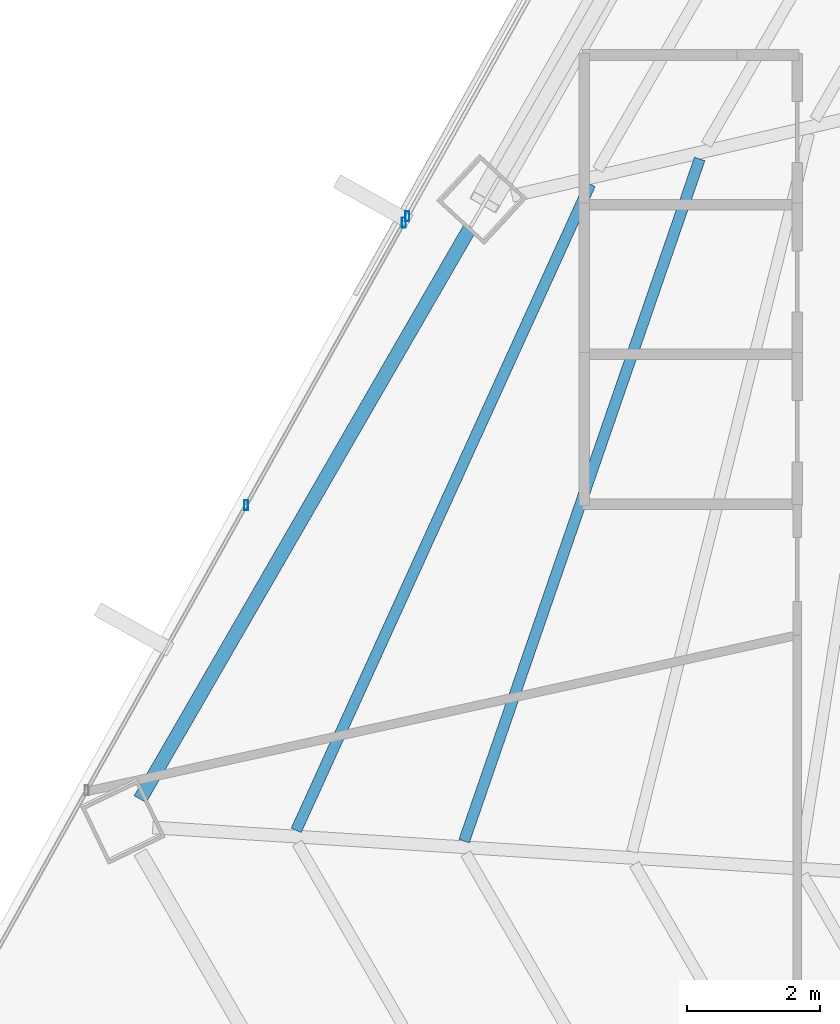
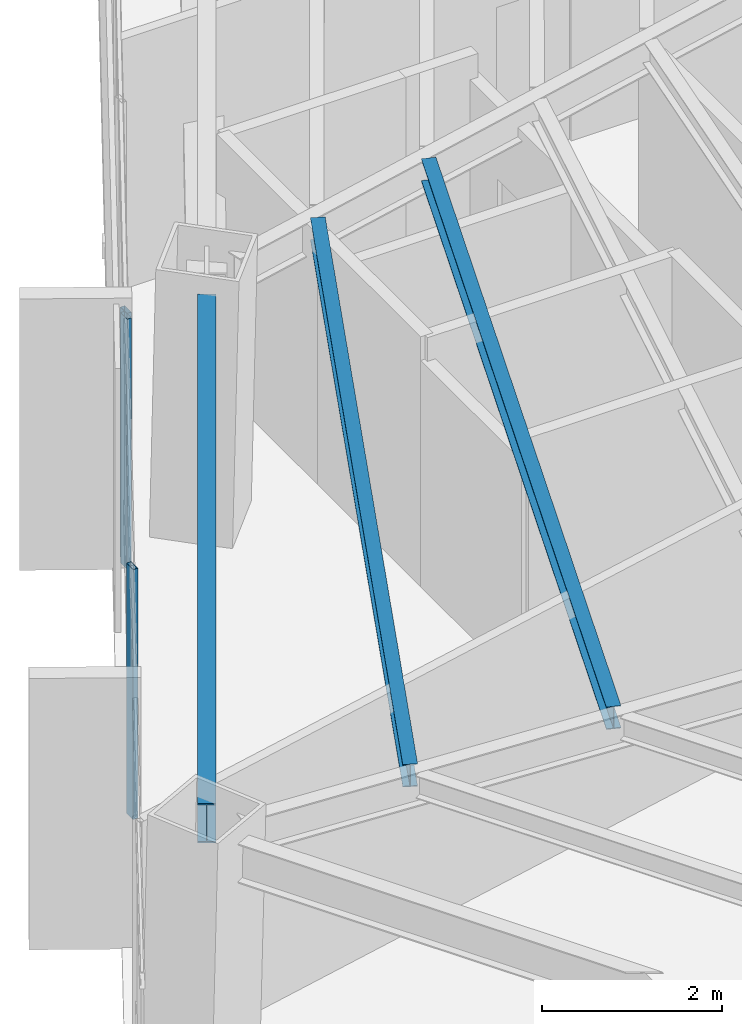
# One storey, part 12 of 39: 3 beams, 3 members, 2 elements without a shape of their own.
"""IFC4 building model written with IfcOpenShell, lengths in metres."""

from ifc_helpers import new_model, si_unit, direction, frame, origin, origin_2d, place, context, subcontext, project, spatial, hollow_rectangle, i_section, extrude, source, transform, mapped, material, material_profile, profile_set, type_object, type_shapes, element, aggregate, save


model = new_model("IFC4")

# Units and contexts
model_context = context("Model", 3, precision=1e-05, world=origin(), true_north=direction((0.0, 1.0)))
body_context = subcontext(model_context, "Body", "Model", "MODEL_VIEW")
ifc_project = project(units=[si_unit("LENGTHUNIT", "METRE"), si_unit("AREAUNIT", "SQUARE_METRE"), si_unit("VOLUMEUNIT", "CUBIC_METRE"), si_unit("PLANEANGLEUNIT", "RADIAN"), si_unit("MASSUNIT", "GRAM", prefix="KILO")], contexts=[model_context])

# Site, building, storey
site_placement = place(None, origin())
site = spatial("IfcSite", under=ifc_project, at=site_placement, CompositionType="ELEMENT")
building_placement = place(site_placement, origin())
building = spatial("IfcBuilding", under=site, at=building_placement, Name="Caelisora Broadcast Tower", CompositionType="ELEMENT")
storey_placement = place(building_placement, frame((0.0, 0.0, 142.75)))
storey = spatial("IfcBuildingStorey", under=building, at=storey_placement, Name="L37", CompositionType="ELEMENT", Elevation=142.75)

# Beams
ifc_material_1 = material(Name="Steel Grade 350 (AS/NZS 3679.1)", Category="steel")
ifc_material_profile_1 = material_profile(ifc_material_1, i_section(OverallWidth=0.208984375, OverallDepth=0.532958984375, WebThickness=0.01025390625, FlangeThickness=0.015625, at=origin_2d()), Name="Steel Grade 350 (AS/NZS 3679.1)")
ifc_profile_set_1 = profile_set([ifc_material_profile_1], Name="Steel Grade 350 (AS/NZS 3679.1)")
beam_type_1 = type_object("IfcBeamType", Name="PG05", PredefinedType="BEAM", material=ifc_profile_set_1)
shared_shape_1 = source(origin(), body_context, "Body", "SweptSolid", [
    extrude(i_section(OverallWidth=0.208984375, OverallDepth=0.532958984375, WebThickness=0.01025390625, FlangeThickness=0.015625, at=origin_2d()), origin(), (0.0, 0.0, 1.0), 9.901611328125),
])
type_shapes(beam_type_1, [shared_shape_1])
beam_1_placement = place(storey_placement, frame((20.474853515625, 27.339111328125, 3.133544921875), z_axis=(-0.500013434677, -0.866017647131, 0.0), x_axis=(0.866017647131, -0.500013434677, 0.0)))
element("IfcBeam", 1, at=beam_1_placement, inside=storey, type_object=beam_type_1, Name="L37 beam PG05", PredefinedType="BEAM", context=body_context, shape_type="MappedRepresentation", body=[
    mapped(shared_shape_1, transform((0.0, 0.0, 0.0), scale=1.0)),
])
ifc_material_profile_2 = material_profile(ifc_material_1, i_section(OverallWidth=0.166015625, OverallDepth=0.30712890625, WebThickness=0.006591796875, FlangeThickness=0.01171875, at=origin_2d()), Name="Steel Grade 350 (AS/NZS 3679.1)")
ifc_profile_set_2 = profile_set([ifc_material_profile_2], Name="Steel Grade 350 (AS/NZS 3679.1)")
beam_type_2 = type_object("IfcBeamType", Name="SB03", PredefinedType="JOIST", material=ifc_profile_set_2)
shared_shape_2 = source(origin(), body_context, "Body", "SweptSolid", [
    extrude(i_section(OverallWidth=0.166015625, OverallDepth=0.30712890625, WebThickness=0.006591796875, FlangeThickness=0.01171875, at=origin_2d()), origin(), (0.0, 0.0, 1.0), 10.84716796875),
])
beam_2_placement = place(storey_placement, frame((23.93408203125, 28.387939453125, 3.246337890625), z_axis=(-0.326358288624, -0.945246141196, 0.0), x_axis=(0.945246141196, -0.326358288624, 0.0)))
element("IfcBeam", 2, at=beam_2_placement, inside=storey, type_object=beam_type_2, Name="L37 beam SB03", PredefinedType="JOIST", context=body_context, shape_type="MappedRepresentation", body=[
    mapped(shared_shape_2, transform((0.0, 0.0, 0.0), scale=1.0)),
])
shared_shape_3 = source(origin(), body_context, "Body", "SweptSolid", [
    extrude(i_section(OverallWidth=0.166015625, OverallDepth=0.30712890625, WebThickness=0.006591796875, FlangeThickness=0.01171875, at=origin_2d()), origin(), (0.0, 0.0, 1.0), 10.6708984375),
])
type_shapes(beam_type_2, [shared_shape_2, shared_shape_3])
beam_3_placement = place(storey_placement, frame((22.288818359375, 28.0078125, 3.246337890625), z_axis=(-0.414159734404, -0.910204215766, 0.0), x_axis=(0.910204215766, -0.414159734404, 0.0)))
element("IfcBeam", 3, at=beam_3_placement, inside=storey, type_object=beam_type_2, Name="L37 beam SB03", PredefinedType="JOIST", context=body_context, shape_type="MappedRepresentation", body=[
    mapped(shared_shape_3, transform((0.0, 0.0, 0.0), scale=1.0)),
])

# Curtain wall, members
ifc_material_2 = material(Name="Unitised Aluminium and Low-E Glass Curtain Wall", Category="glass")
curtain_wall_type_1 = type_object("IfcCurtainWallType", Name="CW-Z3", PredefinedType="NOTDEFINED", material=ifc_material_2)
curtain_wall_1_placement = place(storey_placement, origin())
curtain_wall_1 = element("IfcCurtainWall", 4, at=curtain_wall_1_placement, inside=storey, type_object=curtain_wall_type_1, Name="L37 curtain wall CW-Z3", PredefinedType="NOTDEFINED")
ifc_material_3 = material(Name="Aluminium 6063-T6 Anodised Terracotta Bronze", Category="aluminium")
ifc_material_profile_3 = material_profile(ifc_material_3, hollow_rectangle(XDim=0.06005859375, YDim=0.14990234375, WallThickness=0.00341796875, at=origin_2d()), Name="Aluminium 6063-T6 Anodised Terracotta Bronze")
ifc_profile_set_3 = profile_set([ifc_material_profile_3], Name="Aluminium 6063-T6 Anodised Terracotta Bronze")
member_type = type_object("IfcMemberType", Name="CWM-03", PredefinedType="MULLION", material=ifc_profile_set_3)
shared_shape_4 = source(origin(), body_context, "Body", "SweptSolid", [
    extrude(hollow_rectangle(XDim=0.06005859375, YDim=0.14990234375, WallThickness=0.00341796875, at=origin_2d()), origin(), (0.0, 0.0, 1.0), 3.39990234375),
])
type_shapes(member_type, [shared_shape_4])
member_1_placement = place(storey_placement, frame((17.1162109375, 23.184814453125, 0.0), z_axis=(0.0, 0.0, 1.0), x_axis=(1.0, 0.0, 0.0)))
member_1 = element("IfcMember", 5, at=member_1_placement, type_object=member_type, Name="L37-CW-B09 mullion #2", PredefinedType="MULLION", context=body_context, shape_type="MappedRepresentation", body=[
    mapped(shared_shape_4, transform((0.0, 0.0, 0.0), scale=1.0)),
])
member_2_placement = place(storey_placement, frame((19.488037109375, 27.429443359375, 0.0), z_axis=(0.0, 0.0, 1.0), x_axis=(1.0, 0.0, 0.0)))
member_2 = element("IfcMember", 6, at=member_2_placement, type_object=member_type, Name="L37-CW-B09 mullion #3", PredefinedType="MULLION", context=body_context, shape_type="MappedRepresentation", body=[
    mapped(shared_shape_4, transform((0.0, 0.0, 0.0), scale=1.0)),
])
aggregate(curtain_wall_1, [member_1, member_2])

# Curtain wall, member
ifc_material_4 = material(Name="Unitised Aluminium Insulated Shadow-Box Spandrel Curtain Wall", Category="aluminium")
curtain_wall_type_2 = type_object("IfcCurtainWallType", Name="CW-SP2", PredefinedType="NOTDEFINED", material=ifc_material_4)
curtain_wall_2_placement = place(storey_placement, origin())
curtain_wall_2 = element("IfcCurtainWall", 7, at=curtain_wall_2_placement, inside=storey, type_object=curtain_wall_type_2, Name="L37 curtain wall CW-SP2", PredefinedType="NOTDEFINED")
member_3_placement = place(storey_placement, frame((19.54150390625, 27.525390625, 0.0), z_axis=(0.0, 0.0, 1.0), x_axis=(1.0, 0.0, 0.0)))
member_3 = element("IfcMember", 8, at=member_3_placement, type_object=member_type, Name="L37-CW-B10 mullion #0", PredefinedType="MULLION", context=body_context, shape_type="MappedRepresentation", body=[
    mapped(shared_shape_4, transform((0.0, 0.0, 0.0), scale=1.0)),
])
aggregate(curtain_wall_2, [member_3])

save(model, "model.ifc")
